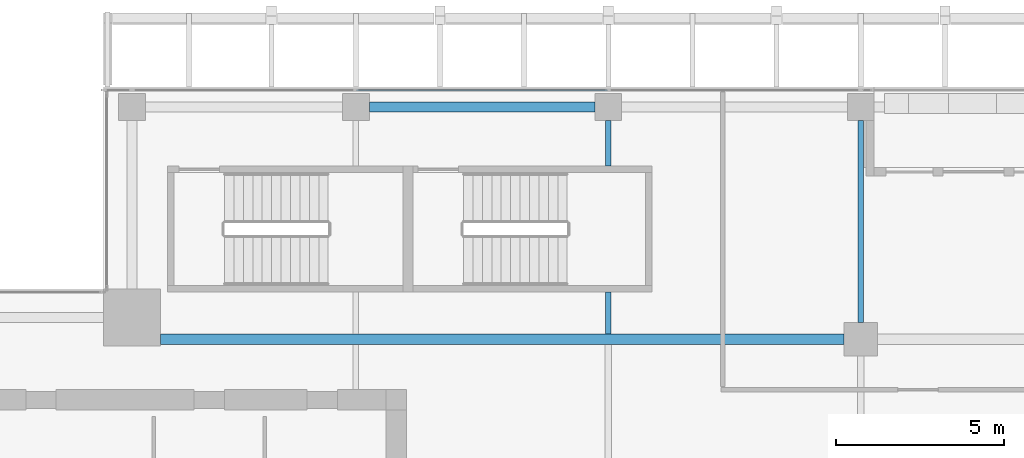
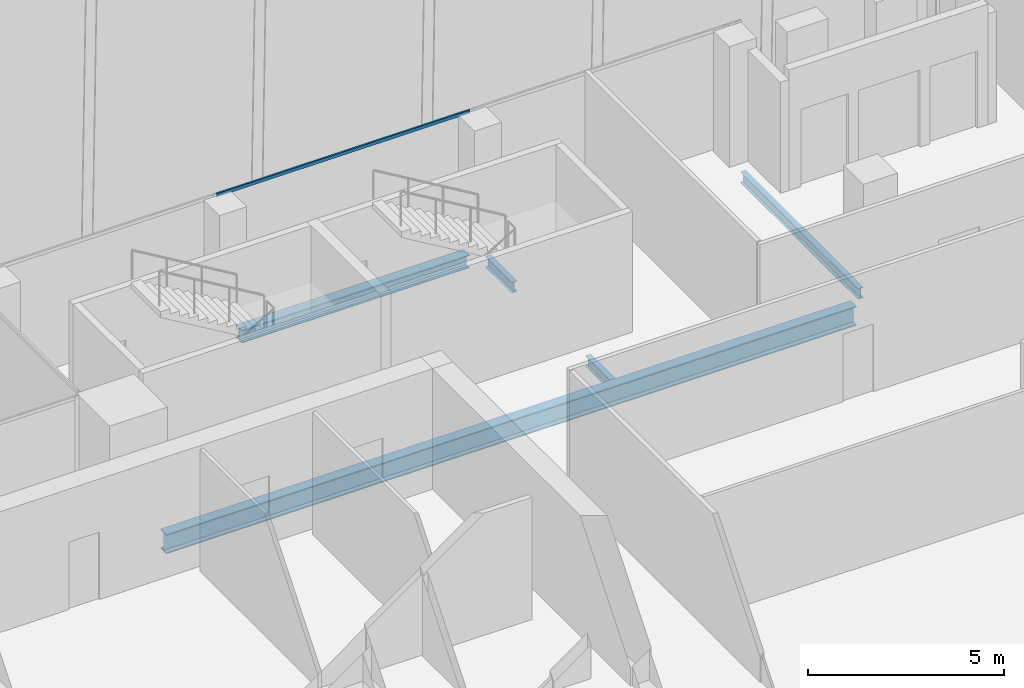
# One storey, part 15 of 33: 5 beams, 1 member, 1 element without a shape of its own.
"""IFC4 building model written with IfcOpenShell, lengths in metres."""

import ifcopenshell
import ifcopenshell.guid

model = None  # the IFC model being written
_history = None  # IfcOwnerHistory: only IFC2X3 demands one
_inside = {}  # id of a spatial element -> (the spatial element, [elements in it])
_under = {}  # id of a project, library or spatial element -> (it, [spatial elements below it])
_declared = {}  # id of a project -> (the project, [libraries it declares])
_typed = {}  # id of a type object -> (the type object, [elements of that type])
_made_of = {}  # id of a material, layer set ... -> (it, [elements and type objects made of it])


def new_model(schema):
    """Start an empty IFC model of exactly this schema.

    Asked for "IFC4X3", IfcOpenShell would pick the latest addendum, in which some entities
    have other attributes; the version numbers below select the first issue.
    IFC2X3 requires an IfcOwnerHistory on every rooted entity: one is made here for all.
    """
    global model, _history
    if schema == "IFC4X3":
        model = ifcopenshell.file(schema_version=(4, 3, 0, 0))
    else:
        model = ifcopenshell.file(schema=schema)
    _inside.clear()
    _under.clear()
    _declared.clear()
    _typed.clear()
    _made_of.clear()
    _history = None
    if model.schema == "IFC2X3":
        org = make("IfcOrganization", Name="unknown")
        user = make(
            "IfcPersonAndOrganization",
            ThePerson=make("IfcPerson", FamilyName="unknown"),
            TheOrganization=org,
        )
        app = make(
            "IfcApplication",
            ApplicationDeveloper=org,
            Version="unknown",
            ApplicationFullName="unknown",
            ApplicationIdentifier="unknown",
        )
        _history = make(
            "IfcOwnerHistory",
            OwningUser=user,
            OwningApplication=app,
            ChangeAction="ADDED",
            CreationDate=0,
        )
    return model


def make(cls, **values):
    """One entity of the class cls with the attributes given. An attribute that is None is left unset."""
    return model.create_entity(
        cls, **{name: value for name, value in values.items() if value is not None}
    )


def rooted(cls, **values):
    """An entity with a GlobalId (a new one), such as an element, a storey or a relation."""
    return make(cls, GlobalId=ifcopenshell.guid.new(), OwnerHistory=_history, **values)


def si_unit(unit_type, name, prefix=None):
    """IfcSIUnit, for example si_unit("LENGTHUNIT", "METRE", prefix="MILLI")."""
    return make("IfcSIUnit", UnitType=unit_type, Prefix=prefix, Name=name)


def assignment(units):
    """IfcUnitAssignment: the units of a project."""
    return None if units is None else make("IfcUnitAssignment", Units=units)


def point(xyz):
    """IfcCartesianPoint."""
    return None if xyz is None else make("IfcCartesianPoint", Coordinates=xyz)


def direction(xyz):
    """IfcDirection."""
    return None if xyz is None else make("IfcDirection", DirectionRatios=xyz)


def frame(location, z_axis=None, x_axis=None):
    """IfcAxis2Placement3D, a coordinate frame: its origin and axes. An axis left out is left unset."""
    return make(
        "IfcAxis2Placement3D",
        Location=point(location),
        Axis=direction(z_axis),
        RefDirection=direction(x_axis),
    )


def frame_2d(location, x_axis=None):
    """IfcAxis2Placement2D, a coordinate frame in the plane: its origin and x axis."""
    return make(
        "IfcAxis2Placement2D", Location=point(location), RefDirection=direction(x_axis)
    )


def origin():
    """The frame at (0, 0, 0) with its axes left unset."""
    return frame((0.0, 0.0, 0.0))


def origin_2d():
    """The frame at (0, 0) in the plane with its x axis left unset."""
    return frame_2d((0.0, 0.0))


def place(relative_to, where):
    """IfcLocalPlacement: puts the frame where relative to a parent placement (None: the world)."""
    return make(
        "IfcLocalPlacement", PlacementRelTo=relative_to, RelativePlacement=where
    )


def context(
    kind, dimensions, precision=None, world=None, true_north=None, identifier=None
):
    """IfcGeometricRepresentationContext, for example the 3D "Model" context."""
    return make(
        "IfcGeometricRepresentationContext",
        ContextIdentifier=identifier,
        ContextType=kind,
        CoordinateSpaceDimension=dimensions,
        Precision=precision,
        WorldCoordinateSystem=world,
        TrueNorth=true_north,
    )


def subcontext(parent, identifier, kind, view, scale=None):
    """IfcGeometricRepresentationSubContext, for example "Body" below "Model"."""
    return make(
        "IfcGeometricRepresentationSubContext",
        ContextIdentifier=identifier,
        ContextType=kind,
        ParentContext=parent,
        TargetScale=scale,
        TargetView=view,
    )


def project(units=None, contexts=None):
    """IfcProject with its units and contexts."""
    return rooted(
        "IfcProject",
        Name="project",
        RepresentationContexts=contexts,
        UnitsInContext=assignment(units),
    )


def spatial(cls, under=None, at=None, **own):
    """A site, building, storey or space (cls), placed at a placement, below another one or the project."""
    s = rooted(cls, ObjectPlacement=at, **own)
    if under is not None:
        _under.setdefault(under.id(), (under, []))[1].append(s)
    return s


def profile(cls, at=None, kind="AREA", **sizes):
    """A parametric profile (cls). Its sizes go by their IFC names, for example OverallWidth=200.0."""
    return make(cls, ProfileType=kind, Position=at, **sizes)


def hollow_rectangle(**sizes):
    """IfcRectangleHollowProfileDef."""
    return profile("IfcRectangleHollowProfileDef", **sizes)


def i_section(**sizes):
    """IfcIShapeProfileDef."""
    return profile("IfcIShapeProfileDef", **sizes)


def extrude(swept, where, along, depth):
    """IfcExtrudedAreaSolid: the profile swept, set in the frame where, extruded along a direction by depth."""
    return make(
        "IfcExtrudedAreaSolid",
        SweptArea=swept,
        Position=where,
        ExtrudedDirection=direction(along),
        Depth=depth,
    )


def shape(context_of_items, identifier, shape_type, items):
    """IfcShapeRepresentation: the items that make up one representation, for example the "Body"."""
    return make(
        "IfcShapeRepresentation",
        ContextOfItems=context_of_items,
        RepresentationIdentifier=identifier,
        RepresentationType=shape_type,
        Items=items,
    )


def source(mapping_origin, context_of_items, identifier, shape_type, items):
    """IfcRepresentationMap: a shape defined once, which mapped items show again and again."""
    return make(
        "IfcRepresentationMap",
        MappingOrigin=mapping_origin,
        MappedRepresentation=shape(context_of_items, identifier, shape_type, items),
    )


def transform(
    local_origin,
    x_axis=None,
    y_axis=None,
    z_axis=None,
    scale=None,
    scale2=None,
    scale3=None,
    uniform=True,
):
    """IfcCartesianTransformationOperator3D, or its non-uniform kind. x_axis, y_axis, z_axis: its Axis1, 2, 3."""
    if uniform:
        return make(
            "IfcCartesianTransformationOperator3D",
            Axis1=direction(x_axis),
            Axis2=direction(y_axis),
            LocalOrigin=point(local_origin),
            Scale=scale,
            Axis3=direction(z_axis),
        )
    return make(
        "IfcCartesianTransformationOperator3DnonUniform",
        Axis1=direction(x_axis),
        Axis2=direction(y_axis),
        LocalOrigin=point(local_origin),
        Scale=scale,
        Axis3=direction(z_axis),
        Scale2=scale2,
        Scale3=scale3,
    )


def mapped(mapping_source, mapping_target):
    """IfcMappedItem: shows the shape of a source again, moved by a transform."""
    return make(
        "IfcMappedItem", MappingSource=mapping_source, MappingTarget=mapping_target
    )


def material(Name=None, Category=None):
    """IfcMaterial."""
    return make("IfcMaterial", Name=Name, Category=Category)


def material_profile(
    of_material, cross_section, Name=None, Category=None, Priority=None
):
    """IfcMaterialProfile: a cross section and its material."""
    return make(
        "IfcMaterialProfile",
        Name=Name,
        Material=of_material,
        Profile=cross_section,
        Priority=Priority,
        Category=Category,
    )


def profile_set(profiles, Name=None, composite=None):
    """IfcMaterialProfileSet."""
    return make(
        "IfcMaterialProfileSet",
        Name=Name,
        MaterialProfiles=profiles,
        CompositeProfile=composite,
    )


def made_of(thing, what):
    """Note that an element or type object is made of a material, layer set ...; save() writes the relation."""
    if what is not None:
        _made_of.setdefault(what.id(), (what, []))[1].append(thing)
    return thing


def type_object(cls, material=None, **own):
    """A type object (cls), such as IfcWallType, which elements share."""
    return made_of(rooted(cls, **own), material)


def element(
    cls,
    number,
    at=None,
    inside=None,
    cuts=None,
    type_object=None,
    material=None,
    context=None,
    identifier="Body",
    shape_type=None,
    held_by="IfcProductDefinitionShape",
    body=None,
    shapes=None,
    **own,
):
    """One element of the class cls, such as IfcWall. Its Tag is "e" and its number.

    at: its placement. inside: the storey or other place that contains it. cuts: it is an
    opening in that element (IfcRelVoidsElement). A single representation is given by context,
    identifier, shape_type and body (its items); several are given by shapes. held_by: the class
    of the entity that holds the representations. save() writes the other relations.
    """
    e = rooted(cls, Tag="e%d" % number, ObjectPlacement=at, **own)
    if body is not None:
        shapes = [shape(context, identifier, shape_type, body)]
    if shapes is not None:
        e.Representation = make(held_by, Representations=shapes)
    if inside is not None:
        _inside.setdefault(inside.id(), (inside, []))[1].append(e)
    if cuts is not None:
        rooted(
            "IfcRelVoidsElement", RelatingBuildingElement=cuts, RelatedOpeningElement=e
        )
    if type_object is not None:
        _typed.setdefault(type_object.id(), (type_object, []))[1].append(e)
    return made_of(e, material)


def aggregate(whole, parts):
    """IfcRelAggregates: a whole, such as a stair, and the parts it consists of."""
    return rooted("IfcRelAggregates", RelatingObject=whole, RelatedObjects=parts)


def save(model, path):
    """Write the relations noted so far, then the file.

    IfcRelAggregates (storeys below a building ...), IfcRelContainedInSpatialStructure (elements
    in a storey), IfcRelDefinesByType, IfcRelAssociatesMaterial and IfcRelDeclares: one each for
    every whole, place, type object, material and project.
    """
    for whole, parts in _under.values():
        aggregate(whole, parts)
    for where, things in _inside.values():
        rooted(
            "IfcRelContainedInSpatialStructure",
            RelatedElements=things,
            RelatingStructure=where,
        )
    for kind, things in _typed.values():
        rooted("IfcRelDefinesByType", RelatedObjects=things, RelatingType=kind)
    for what, things in _made_of.values():
        rooted("IfcRelAssociatesMaterial", RelatedObjects=things, RelatingMaterial=what)
    for by, libraries in _declared.values():
        rooted("IfcRelDeclares", RelatingContext=by, RelatedDefinitions=libraries)
    model.write(path)


model = new_model("IFC4")

# Units and contexts
model_context = context("Model", 3, precision=1e-05, world=origin(), true_north=direction((0.0, 1.0)))
body_context = subcontext(model_context, "Body", "Model", "MODEL_VIEW")
ifc_project = project(units=[si_unit("LENGTHUNIT", "METRE"), si_unit("AREAUNIT", "SQUARE_METRE"), si_unit("VOLUMEUNIT", "CUBIC_METRE"), si_unit("PLANEANGLEUNIT", "RADIAN"), si_unit("MASSUNIT", "GRAM", prefix="KILO")], contexts=[model_context])

# Site, building, storey
site_placement = place(None, origin())
site = spatial("IfcSite", under=ifc_project, at=site_placement, CompositionType="ELEMENT")
building_placement = place(site_placement, origin())
building = spatial("IfcBuilding", under=site, at=building_placement, Name="Khomas Fold Tower", CompositionType="ELEMENT")
storey_placement = place(building_placement, frame((0.0, 0.0, 294.199951171875)))
storey = spatial("IfcBuildingStorey", under=building, at=storey_placement, Name="L66", CompositionType="ELEMENT", Elevation=294.199951171875)

# Beams
ifc_material_1 = material(Name="Steel S355", Category="steel")
ifc_material_profile_1 = material_profile(ifc_material_1, i_section(OverallWidth=0.159912109375, OverallDepth=0.330078125, WebThickness=0.007568359375, FlangeThickness=0.011474609375, at=origin_2d()), Name="IPE 330")
ifc_profile_set_1 = profile_set([ifc_material_profile_1], Name="Steel S355")
beam_type_1 = type_object("IfcBeamType", Name="IPE 330 beam JB1", PredefinedType="BEAM", material=ifc_profile_set_1)
shared_shape_1 = source(origin(), body_context, "Body", "SweptSolid", [
    extrude(i_section(OverallWidth=0.159912109375, OverallDepth=0.330078125, WebThickness=0.007568359375, FlangeThickness=0.011474609375, at=origin_2d()), origin(), (0.0, 0.0, 1.0), 1.25),
])
beam_1_placement = place(storey_placement, frame((27.0, 40.64990234375, -0.4150390625), z_axis=(0.0, 1.0, 0.0), x_axis=(-1.0, 0.0, 0.0)))
element("IfcBeam", 1, at=beam_1_placement, inside=storey, type_object=beam_type_1, Name="JB1", PredefinedType="BEAM", context=body_context, shape_type="MappedRepresentation", body=[
    mapped(shared_shape_1, transform((0.0, 0.0, 0.0))),
])
shared_shape_2 = source(origin(), body_context, "Body", "SweptSolid", [
    extrude(i_section(OverallWidth=0.159912109375, OverallDepth=0.330078125, WebThickness=0.007568359375, FlangeThickness=0.011474609375, at=origin_2d()), origin(), (0.0, 0.0, 1.0), 1.35009765625),
])
beam_2_placement = place(storey_placement, frame((27.0, 45.64990234375, -0.4150390625), z_axis=(0.0, 1.0, 0.0), x_axis=(-1.0, 0.0, 0.0)))
element("IfcBeam", 2, at=beam_2_placement, inside=storey, type_object=beam_type_1, Name="JB1", PredefinedType="BEAM", context=body_context, shape_type="MappedRepresentation", body=[
    mapped(shared_shape_2, transform((0.0, 0.0, 0.0))),
])
ifc_material_2 = material(Name="Steel S355", Category="steel")
ifc_material_profile_2 = material_profile(ifc_material_2, i_section(OverallWidth=0.300048828125, OverallDepth=0.39990234375, WebThickness=0.013427734375, FlangeThickness=0.02392578125, at=origin_2d()), Name="HE 400 B")
ifc_profile_set_2 = profile_set([ifc_material_profile_2], Name="Steel S355")
beam_type_2 = type_object("IfcBeamType", Name="HE 400 B spandrel SB5", PredefinedType="SPANDREL", material=ifc_profile_set_2)
shared_shape_3 = source(origin(), body_context, "Body", "SweptSolid", [
    extrude(i_section(OverallWidth=0.300048828125, OverallDepth=0.39990234375, WebThickness=0.013427734375, FlangeThickness=0.02392578125, at=origin_2d()), origin(), (0.0, 0.0, 1.0), 6.7001953125),
])
beam_3_placement = place(storey_placement, frame((19.89990234375, 47.39990234375, -0.449951171875), z_axis=(1.0, 0.0, 0.0), x_axis=(0.0, 1.0, 0.0)))
element("IfcBeam", 3, at=beam_3_placement, inside=storey, type_object=beam_type_2, Name="SB5", PredefinedType="SPANDREL", context=body_context, shape_type="MappedRepresentation", body=[
    mapped(shared_shape_3, transform((0.0, 0.0, 0.0))),
])
ifc_material_3 = material(Name="Steel S355", Category="steel")
ifc_material_profile_3 = material_profile(ifc_material_3, i_section(OverallWidth=0.300048828125, OverallDepth=0.60009765625, WebThickness=0.015380859375, FlangeThickness=0.030029296875, at=origin_2d()), Name="HE 600 B")
ifc_profile_set_3 = profile_set([ifc_material_profile_3], Name="Steel S355")
beam_type_3 = type_object("IfcBeamType", Name="HE 600 B beam GB5", PredefinedType="BEAM", material=ifc_profile_set_3)
shared_shape_4 = source(origin(), body_context, "Body", "SweptSolid", [
    extrude(i_section(OverallWidth=0.300048828125, OverallDepth=0.60009765625, WebThickness=0.015380859375, FlangeThickness=0.030029296875, at=origin_2d()), origin(), (0.0, 0.0, 1.0), 20.300048828125),
])
beam_4_placement = place(storey_placement, frame((13.699951171875, 40.5, -0.550048828125), z_axis=(1.0, 0.0, 0.0), x_axis=(0.0, 1.0, 0.0)))
element("IfcBeam", 4, at=beam_4_placement, inside=storey, type_object=beam_type_3, Name="GB5", PredefinedType="BEAM", context=body_context, shape_type="MappedRepresentation", body=[
    mapped(shared_shape_4, transform((0.0, 0.0, 0.0))),
])
shared_shape_5 = source(origin(), body_context, "Body", "SweptSolid", [
    extrude(i_section(OverallWidth=0.159912109375, OverallDepth=0.330078125, WebThickness=0.007568359375, FlangeThickness=0.011474609375, at=origin_2d()), origin(), (0.0, 0.0, 1.0), 6.0),
])
beam_5_placement = place(storey_placement, frame((34.5, 41.0, -0.4150390625), z_axis=(0.0, 1.0, 0.0), x_axis=(-1.0, 0.0, 0.0)))
element("IfcBeam", 5, at=beam_5_placement, inside=storey, type_object=beam_type_1, Name="JB1", PredefinedType="BEAM", context=body_context, shape_type="MappedRepresentation", body=[
    mapped(shared_shape_5, transform((0.0, 0.0, 0.0))),
])

# Curtain wall, member
ifc_material_4 = material(Name="Aluminium framed double glazing", Category="aluminium")
curtain_wall_type = type_object("IfcCurtainWallType", Name="SK-Unitised clear-glass wall, upper floors CW3", PredefinedType="NOTDEFINED", material=ifc_material_4)
curtain_wall_placement = place(storey_placement, origin())
curtain_wall = element("IfcCurtainWall", 6, at=curtain_wall_placement, inside=storey, type_object=curtain_wall_type, Name="CW3 run L66 06-1", PredefinedType="NOTDEFINED")
ifc_material_5 = material(Name="Aluminium", Category="aluminium")
ifc_material_profile_4 = material_profile(ifc_material_5, hollow_rectangle(XDim=0.050048828125, YDim=0.10009765625, WallThickness=0.00390625, at=origin_2d()), Name="SK-Unitised clear-glass wall, upper floors transom CW3-T")
ifc_profile_set_4 = profile_set([ifc_material_profile_4], Name="Aluminium")
member_type = type_object("IfcMemberType", Name="SK-Unitised clear-glass wall, upper floors transom CW3-T", PredefinedType="USERDEFINED", material=ifc_profile_set_4)
shared_shape_6 = source(origin(), body_context, "Body", "SweptSolid", [
    extrude(hollow_rectangle(XDim=0.050048828125, YDim=0.10009765625, WallThickness=0.00390625, at=origin_2d()), origin(), (0.0, 0.0, 1.0), 7.4501953125),
])
member_placement = place(storey_placement, frame((26.97509765625, 47.89990234375, 3.699951171875), z_axis=(-1.0, 0.0, 0.0), x_axis=(0.0, -1.0, 0.0)))
member = element("IfcMember", 7, at=member_placement, type_object=member_type, Name="CW3 transom 3", ObjectType="TRANSOM", PredefinedType="USERDEFINED", context=body_context, shape_type="MappedRepresentation", body=[
    mapped(shared_shape_6, transform((0.0, 0.0, 0.0))),
])
aggregate(curtain_wall, [member])

save(model, "model.ifc")
